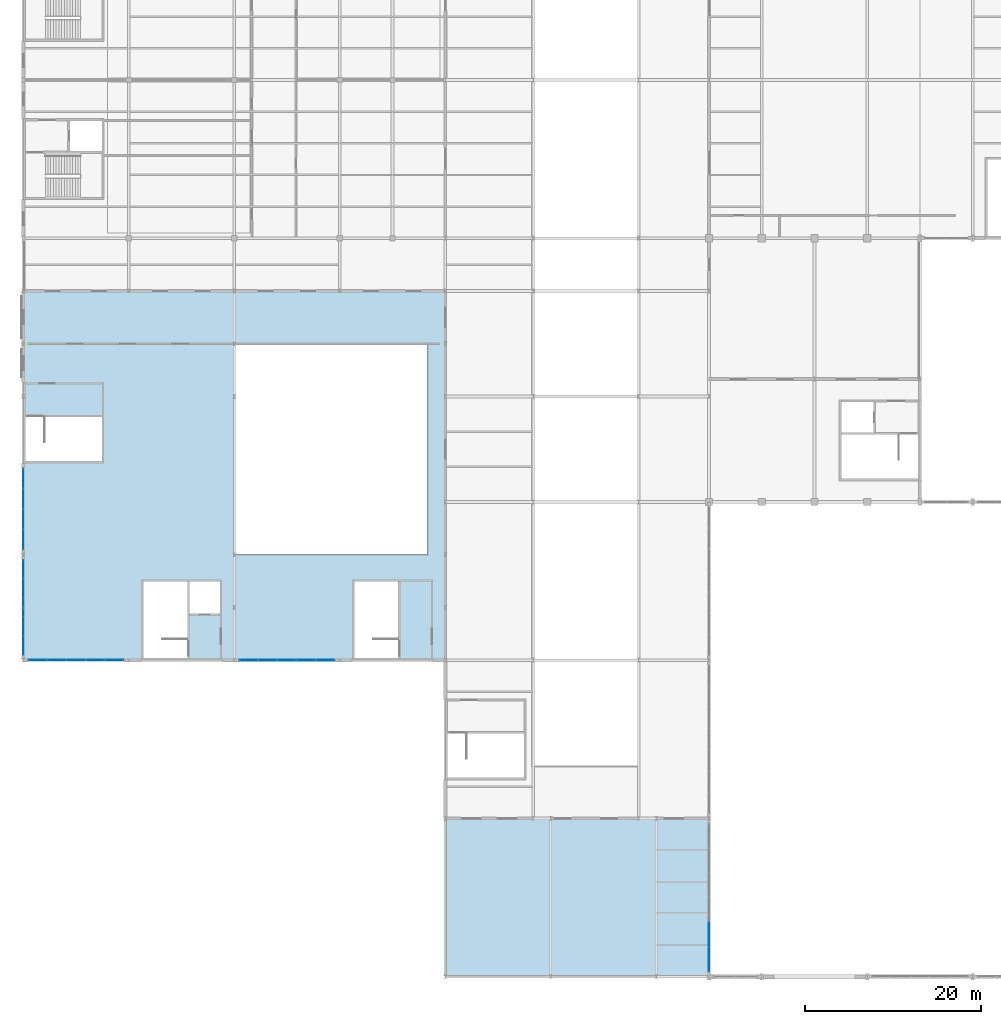
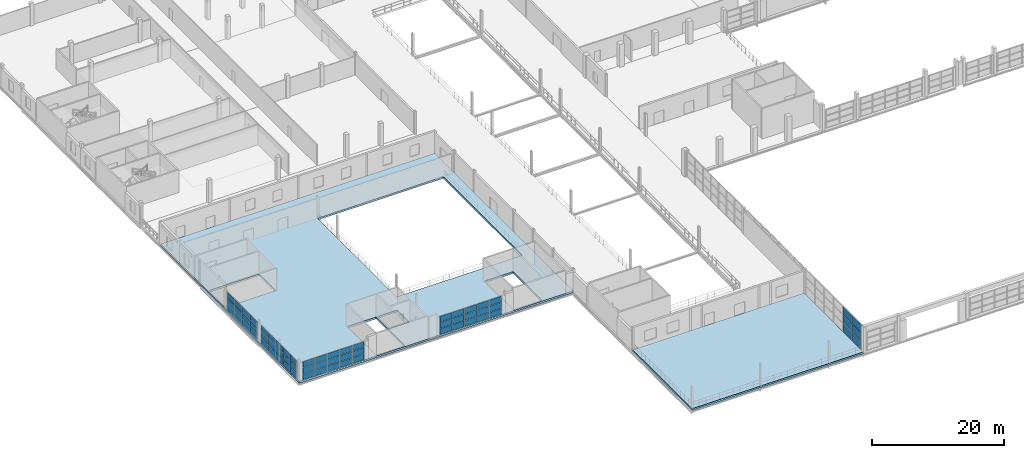
# One storey, part 119 of 147: 63 plates, 2 slabs, 5 elements without a shape of their own.
"""IFC4 building model written with IfcOpenShell, lengths in metres."""

from ifc_helpers import new_model, si_unit, direction, frame, origin, origin_2d, place, context, subcontext, project, spatial, polyline, rectangle, outline, extrude, material, layer, layer_set, type_object, element, aggregate, save


model = new_model("IFC4")

# Units and contexts
model_context = context("Model", 3, precision=1e-05, world=origin(), true_north=direction((0.0, 1.0)))
body_context = subcontext(model_context, "Body", "Model", "MODEL_VIEW")
ifc_project = project(units=[si_unit("LENGTHUNIT", "METRE"), si_unit("AREAUNIT", "SQUARE_METRE"), si_unit("VOLUMEUNIT", "CUBIC_METRE"), si_unit("PLANEANGLEUNIT", "RADIAN"), si_unit("MASSUNIT", "GRAM", prefix="KILO")], contexts=[model_context])

# Site, building, storey
site_placement = place(None, origin())
site = spatial("IfcSite", under=ifc_project, at=site_placement, CompositionType="ELEMENT")
building_placement = place(site_placement, origin())
building = spatial("IfcBuilding", under=site, at=building_placement, Name="Zilviju Railside Exhibition Hall", CompositionType="ELEMENT")
storey_placement = place(building_placement, frame((0.0, 0.0, 8.39990234375)))
storey = spatial("IfcBuildingStorey", under=building, at=storey_placement, Name="L03", CompositionType="ELEMENT", Elevation=8.39990234375)

# Curtain wall, plates
ifc_material_1 = material(Name="Thermally broken aluminium-steel triple-glazed curtain wall", Category="steel")
ifc_layer_1 = layer(ifc_material_1, 0.179931640625)
ifc_layer_set_1 = layer_set([ifc_layer_1], Name="Thermally broken aluminium-steel triple-glazed curtain wall")
curtain_wall_type_1 = type_object("IfcCurtainWallType", Name="CW-BAY-02", PredefinedType="USERDEFINED", material=ifc_layer_set_1)
curtain_wall_1_placement = place(storey_placement, origin())
curtain_wall_1 = element("IfcCurtainWall", 1, at=curtain_wall_1_placement, inside=storey, type_object=curtain_wall_type_1, Name="Congress Crush Foyer Boulevard Curtain Wall L03 (36..48)", ObjectType="GLAZED CURTAIN WALL", PredefinedType="USERDEFINED")
ifc_material_2 = material(Name="Triple-glazed low-E argon insulating glass unit", Category="glass")
ifc_layer_2 = layer(ifc_material_2, 0.0439453125)
ifc_layer_set_2 = layer_set([ifc_layer_2], Name="Triple-glazed low-E argon insulating glass unit")
plate_type_1 = type_object("IfcPlateType", Name="CWP-IGU-44", PredefinedType="CURTAIN_PANEL", material=ifc_layer_set_2)
plate_1_placement = place(storey_placement, frame((0.0, 37.65380859375, 0.05517578125), z_axis=(0.0, 0.0, 1.0), x_axis=(0.0, 1.0, 0.0)))
plate_1 = element("IfcPlate", 2, at=plate_1_placement, type_object=plate_type_1, Name="CW-02 panel 1.1", PredefinedType="CURTAIN_PANEL", context=body_context, shape_type="SweptSolid", body=[
    extrude(rectangle(XDim=2.097412109375, YDim=0.0439453125, at=origin_2d()), origin(), (0.0, 0.0, 1.0), 1.08447265625),
])
plate_2_placement = place(storey_placement, frame((0.0, 37.65380859375, 1.1943359375), z_axis=(0.0, 0.0, 1.0), x_axis=(0.0, 1.0, 0.0)))
plate_2 = element("IfcPlate", 3, at=plate_2_placement, type_object=plate_type_1, Name="CW-02 panel 1.2", PredefinedType="CURTAIN_PANEL", context=body_context, shape_type="SweptSolid", body=[
    extrude(rectangle(XDim=2.097412109375, YDim=0.0439453125, at=origin_2d()), origin(), (0.0, 0.0, 1.0), 1.111083984375),
])
plate_3_placement = place(storey_placement, frame((0.0, 37.65380859375, 2.360595703125), z_axis=(0.0, 0.0, 1.0), x_axis=(0.0, 1.0, 0.0)))
plate_3 = element("IfcPlate", 4, at=plate_3_placement, type_object=plate_type_1, Name="CW-02 panel 1.3", PredefinedType="CURTAIN_PANEL", context=body_context, shape_type="SweptSolid", body=[
    extrude(rectangle(XDim=2.097412109375, YDim=0.0439453125, at=origin_2d()), origin(), (0.0, 0.0, 1.0), 1.08447265625),
])
plate_4_placement = place(storey_placement, frame((0.0, 39.820068359375, 0.05517578125), z_axis=(0.0, 0.0, 1.0), x_axis=(0.0, 1.0, 0.0)))
plate_4 = element("IfcPlate", 5, at=plate_4_placement, type_object=plate_type_1, Name="CW-02 panel 2.1", PredefinedType="CURTAIN_PANEL", context=body_context, shape_type="SweptSolid", body=[
    extrude(rectangle(XDim=2.125, YDim=0.0439453125, at=origin_2d()), origin(), (0.0, 0.0, 1.0), 1.08447265625),
])
plate_5_placement = place(storey_placement, frame((0.0, 39.820068359375, 1.1943359375), z_axis=(0.0, 0.0, 1.0), x_axis=(0.0, 1.0, 0.0)))
plate_5 = element("IfcPlate", 6, at=plate_5_placement, type_object=plate_type_1, Name="CW-02 panel 2.2", PredefinedType="CURTAIN_PANEL", context=body_context, shape_type="SweptSolid", body=[
    extrude(rectangle(XDim=2.125, YDim=0.0439453125, at=origin_2d()), origin(), (0.0, 0.0, 1.0), 1.111083984375),
])
plate_6_placement = place(storey_placement, frame((0.0, 39.820068359375, 2.360595703125), z_axis=(0.0, 0.0, 1.0), x_axis=(0.0, 1.0, 0.0)))
plate_6 = element("IfcPlate", 7, at=plate_6_placement, type_object=plate_type_1, Name="CW-02 panel 2.3", PredefinedType="CURTAIN_PANEL", context=body_context, shape_type="SweptSolid", body=[
    extrude(rectangle(XDim=2.125, YDim=0.0439453125, at=origin_2d()), origin(), (0.0, 0.0, 1.0), 1.08447265625),
])
plate_7_placement = place(storey_placement, frame((0.0, 42.0, 0.05517578125), z_axis=(0.0, 0.0, 1.0), x_axis=(0.0, 1.0, 0.0)))
plate_7 = element("IfcPlate", 8, at=plate_7_placement, type_object=plate_type_1, Name="CW-02 panel 3.1", PredefinedType="CURTAIN_PANEL", context=body_context, shape_type="SweptSolid", body=[
    extrude(rectangle(XDim=2.125, YDim=0.0439453125, at=origin_2d()), origin(), (0.0, 0.0, 1.0), 1.08447265625),
])
plate_8_placement = place(storey_placement, frame((0.0, 42.0, 1.1943359375), z_axis=(0.0, 0.0, 1.0), x_axis=(0.0, 1.0, 0.0)))
plate_8 = element("IfcPlate", 9, at=plate_8_placement, type_object=plate_type_1, Name="CW-02 panel 3.2", PredefinedType="CURTAIN_PANEL", context=body_context, shape_type="SweptSolid", body=[
    extrude(rectangle(XDim=2.125, YDim=0.0439453125, at=origin_2d()), origin(), (0.0, 0.0, 1.0), 1.111083984375),
])
plate_9_placement = place(storey_placement, frame((0.0, 42.0, 2.360595703125), z_axis=(0.0, 0.0, 1.0), x_axis=(0.0, 1.0, 0.0)))
plate_9 = element("IfcPlate", 10, at=plate_9_placement, type_object=plate_type_1, Name="CW-02 panel 3.3", PredefinedType="CURTAIN_PANEL", context=body_context, shape_type="SweptSolid", body=[
    extrude(rectangle(XDim=2.125, YDim=0.0439453125, at=origin_2d()), origin(), (0.0, 0.0, 1.0), 1.08447265625),
])
plate_10_placement = place(storey_placement, frame((0.0, 44.179931640625, 0.05517578125), z_axis=(0.0, 0.0, 1.0), x_axis=(0.0, 1.0, 0.0)))
plate_10 = element("IfcPlate", 11, at=plate_10_placement, type_object=plate_type_1, Name="CW-02 panel 4.1", PredefinedType="CURTAIN_PANEL", context=body_context, shape_type="SweptSolid", body=[
    extrude(rectangle(XDim=2.125, YDim=0.0439453125, at=origin_2d()), origin(), (0.0, 0.0, 1.0), 1.08447265625),
])
plate_11_placement = place(storey_placement, frame((0.0, 44.179931640625, 1.1943359375), z_axis=(0.0, 0.0, 1.0), x_axis=(0.0, 1.0, 0.0)))
plate_11 = element("IfcPlate", 12, at=plate_11_placement, type_object=plate_type_1, Name="CW-02 panel 4.2", PredefinedType="CURTAIN_PANEL", context=body_context, shape_type="SweptSolid", body=[
    extrude(rectangle(XDim=2.125, YDim=0.0439453125, at=origin_2d()), origin(), (0.0, 0.0, 1.0), 1.111083984375),
])
plate_12_placement = place(storey_placement, frame((0.0, 44.179931640625, 2.360595703125), z_axis=(0.0, 0.0, 1.0), x_axis=(0.0, 1.0, 0.0)))
plate_12 = element("IfcPlate", 13, at=plate_12_placement, type_object=plate_type_1, Name="CW-02 panel 4.3", PredefinedType="CURTAIN_PANEL", context=body_context, shape_type="SweptSolid", body=[
    extrude(rectangle(XDim=2.125, YDim=0.0439453125, at=origin_2d()), origin(), (0.0, 0.0, 1.0), 1.08447265625),
])
plate_13_placement = place(storey_placement, frame((0.0, 46.34619140625, 0.05517578125), z_axis=(0.0, 0.0, 1.0), x_axis=(0.0, 1.0, 0.0)))
plate_13 = element("IfcPlate", 14, at=plate_13_placement, type_object=plate_type_1, Name="CW-02 panel 5.1", PredefinedType="CURTAIN_PANEL", context=body_context, shape_type="SweptSolid", body=[
    extrude(rectangle(XDim=2.097412109375, YDim=0.0439453125, at=origin_2d()), origin(), (0.0, 0.0, 1.0), 1.08447265625),
])
plate_14_placement = place(storey_placement, frame((0.0, 46.34619140625, 1.1943359375), z_axis=(0.0, 0.0, 1.0), x_axis=(0.0, 1.0, 0.0)))
plate_14 = element("IfcPlate", 15, at=plate_14_placement, type_object=plate_type_1, Name="CW-02 panel 5.2", PredefinedType="CURTAIN_PANEL", context=body_context, shape_type="SweptSolid", body=[
    extrude(rectangle(XDim=2.097412109375, YDim=0.0439453125, at=origin_2d()), origin(), (0.0, 0.0, 1.0), 1.111083984375),
])
plate_15_placement = place(storey_placement, frame((0.0, 46.34619140625, 2.360595703125), z_axis=(0.0, 0.0, 1.0), x_axis=(0.0, 1.0, 0.0)))
plate_15 = element("IfcPlate", 16, at=plate_15_placement, type_object=plate_type_1, Name="CW-02 panel 5.3", PredefinedType="CURTAIN_PANEL", context=body_context, shape_type="SweptSolid", body=[
    extrude(rectangle(XDim=2.097412109375, YDim=0.0439453125, at=origin_2d()), origin(), (0.0, 0.0, 1.0), 1.08447265625),
])
aggregate(curtain_wall_1, [plate_1, plate_2, plate_3, plate_4, plate_5, plate_6, plate_7, plate_8, plate_9, plate_10, plate_11, plate_12, plate_13, plate_14, plate_15])

ifc_layer_3 = layer(ifc_material_1, 0.179931640625)
ifc_layer_set_3 = layer_set([ifc_layer_3], Name="Thermally broken aluminium-steel triple-glazed curtain wall")
curtain_wall_type_2 = type_object("IfcCurtainWallType", Name="CW-BAY-03", PredefinedType="USERDEFINED", material=ifc_layer_set_3)
curtain_wall_2_placement = place(storey_placement, origin())
curtain_wall_2 = element("IfcCurtainWall", 17, at=curtain_wall_2_placement, inside=storey, type_object=curtain_wall_type_2, Name="Congress Crush Foyer Boulevard Curtain Wall L03 (48..58)", ObjectType="GLAZED CURTAIN WALL", PredefinedType="USERDEFINED")
plate_16_placement = place(storey_placement, frame((0.0, 49.72998046875, 0.070068359375), z_axis=(0.0, 0.0, 1.0), x_axis=(0.0, 1.0, 0.0)))
plate_16 = element("IfcPlate", 18, at=plate_16_placement, type_object=plate_type_1, Name="CW-03 panel 1.1", PredefinedType="CURTAIN_PANEL", context=body_context, shape_type="SweptSolid", body=[
    extrude(rectangle(XDim=2.219970703125, YDim=0.0439453125, at=origin_2d()), origin(), (0.0, 0.0, 1.0), 1.06201171875),
])
plate_17_placement = place(storey_placement, frame((0.0, 49.72998046875, 1.2021484375), z_axis=(0.0, 0.0, 1.0), x_axis=(0.0, 1.0, 0.0)))
plate_17 = element("IfcPlate", 19, at=plate_17_placement, type_object=plate_type_1, Name="CW-03 panel 1.2", PredefinedType="CURTAIN_PANEL", context=body_context, shape_type="SweptSolid", body=[
    extrude(rectangle(XDim=2.219970703125, YDim=0.0439453125, at=origin_2d()), origin(), (0.0, 0.0, 1.0), 1.095947265625),
])
plate_18_placement = place(storey_placement, frame((0.0, 49.72998046875, 2.3681640625), z_axis=(0.0, 0.0, 1.0), x_axis=(0.0, 1.0, 0.0)))
plate_18 = element("IfcPlate", 20, at=plate_18_placement, type_object=plate_type_1, Name="CW-03 panel 1.3", PredefinedType="CURTAIN_PANEL", context=body_context, shape_type="SweptSolid", body=[
    extrude(rectangle(XDim=2.219970703125, YDim=0.0439453125, at=origin_2d()), origin(), (0.0, 0.0, 1.0), 1.06201171875),
])
plate_19_placement = place(storey_placement, frame((0.0, 52.03759765625, 0.070068359375), z_axis=(0.0, 0.0, 1.0), x_axis=(0.0, 1.0, 0.0)))
plate_19 = element("IfcPlate", 21, at=plate_19_placement, type_object=plate_type_1, Name="CW-03 panel 2.1", PredefinedType="CURTAIN_PANEL", context=body_context, shape_type="SweptSolid", body=[
    extrude(rectangle(XDim=2.2548828125, YDim=0.0439453125, at=origin_2d()), origin(), (0.0, 0.0, 1.0), 1.06201171875),
])
plate_20_placement = place(storey_placement, frame((0.0, 52.03759765625, 1.2021484375), z_axis=(0.0, 0.0, 1.0), x_axis=(0.0, 1.0, 0.0)))
plate_20 = element("IfcPlate", 22, at=plate_20_placement, type_object=plate_type_1, Name="CW-03 panel 2.2", PredefinedType="CURTAIN_PANEL", context=body_context, shape_type="SweptSolid", body=[
    extrude(rectangle(XDim=2.2548828125, YDim=0.0439453125, at=origin_2d()), origin(), (0.0, 0.0, 1.0), 1.095947265625),
])
plate_21_placement = place(storey_placement, frame((0.0, 52.03759765625, 2.3681640625), z_axis=(0.0, 0.0, 1.0), x_axis=(0.0, 1.0, 0.0)))
plate_21 = element("IfcPlate", 23, at=plate_21_placement, type_object=plate_type_1, Name="CW-03 panel 2.3", PredefinedType="CURTAIN_PANEL", context=body_context, shape_type="SweptSolid", body=[
    extrude(rectangle(XDim=2.2548828125, YDim=0.0439453125, at=origin_2d()), origin(), (0.0, 0.0, 1.0), 1.06201171875),
])
plate_22_placement = place(storey_placement, frame((0.0, 54.362548828125, 0.070068359375), z_axis=(0.0, 0.0, 1.0), x_axis=(0.0, 1.0, 0.0)))
plate_22 = element("IfcPlate", 24, at=plate_22_placement, type_object=plate_type_1, Name="CW-03 panel 3.1", PredefinedType="CURTAIN_PANEL", context=body_context, shape_type="SweptSolid", body=[
    extrude(rectangle(XDim=2.2548828125, YDim=0.0439453125, at=origin_2d()), origin(), (0.0, 0.0, 1.0), 1.06201171875),
])
plate_23_placement = place(storey_placement, frame((0.0, 54.362548828125, 1.2021484375), z_axis=(0.0, 0.0, 1.0), x_axis=(0.0, 1.0, 0.0)))
plate_23 = element("IfcPlate", 25, at=plate_23_placement, type_object=plate_type_1, Name="CW-03 panel 3.2", PredefinedType="CURTAIN_PANEL", context=body_context, shape_type="SweptSolid", body=[
    extrude(rectangle(XDim=2.2548828125, YDim=0.0439453125, at=origin_2d()), origin(), (0.0, 0.0, 1.0), 1.095947265625),
])
plate_24_placement = place(storey_placement, frame((0.0, 54.362548828125, 2.3681640625), z_axis=(0.0, 0.0, 1.0), x_axis=(0.0, 1.0, 0.0)))
plate_24 = element("IfcPlate", 26, at=plate_24_placement, type_object=plate_type_1, Name="CW-03 panel 3.3", PredefinedType="CURTAIN_PANEL", context=body_context, shape_type="SweptSolid", body=[
    extrude(rectangle(XDim=2.2548828125, YDim=0.0439453125, at=origin_2d()), origin(), (0.0, 0.0, 1.0), 1.06201171875),
])
plate_25_placement = place(storey_placement, frame((0.0, 56.669921875, 0.070068359375), z_axis=(0.0, 0.0, 1.0), x_axis=(0.0, 1.0, 0.0)))
plate_25 = element("IfcPlate", 27, at=plate_25_placement, type_object=plate_type_1, Name="CW-03 panel 4.1", PredefinedType="CURTAIN_PANEL", context=body_context, shape_type="SweptSolid", body=[
    extrude(rectangle(XDim=2.219970703125, YDim=0.0439453125, at=origin_2d()), origin(), (0.0, 0.0, 1.0), 1.06201171875),
])
plate_26_placement = place(storey_placement, frame((0.0, 56.669921875, 1.2021484375), z_axis=(0.0, 0.0, 1.0), x_axis=(0.0, 1.0, 0.0)))
plate_26 = element("IfcPlate", 28, at=plate_26_placement, type_object=plate_type_1, Name="CW-03 panel 4.2", PredefinedType="CURTAIN_PANEL", context=body_context, shape_type="SweptSolid", body=[
    extrude(rectangle(XDim=2.219970703125, YDim=0.0439453125, at=origin_2d()), origin(), (0.0, 0.0, 1.0), 1.095947265625),
])
plate_27_placement = place(storey_placement, frame((0.0, 56.669921875, 2.3681640625), z_axis=(0.0, 0.0, 1.0), x_axis=(0.0, 1.0, 0.0)))
plate_27 = element("IfcPlate", 29, at=plate_27_placement, type_object=plate_type_1, Name="CW-03 panel 4.3", PredefinedType="CURTAIN_PANEL", context=body_context, shape_type="SweptSolid", body=[
    extrude(rectangle(XDim=2.219970703125, YDim=0.0439453125, at=origin_2d()), origin(), (0.0, 0.0, 1.0), 1.06201171875),
])
aggregate(curtain_wall_2, [plate_16, plate_17, plate_18, plate_19, plate_20, plate_21, plate_22, plate_23, plate_24, plate_25, plate_26, plate_27])

ifc_layer_4 = layer(ifc_material_1, 0.179931640625)
ifc_layer_set_4 = layer_set([ifc_layer_4], Name="Thermally broken aluminium-steel triple-glazed curtain wall")
curtain_wall_type_3 = type_object("IfcCurtainWallType", Name="CW-BAY-20", PredefinedType="USERDEFINED", material=ifc_layer_set_4)
curtain_wall_3_placement = place(storey_placement, origin())
curtain_wall_3 = element("IfcCurtainWall", 30, at=curtain_wall_3_placement, inside=storey, type_object=curtain_wall_type_3, Name="Congress Forecourt Curtain Wall L03 (0..12)", ObjectType="GLAZED CURTAIN WALL", PredefinedType="USERDEFINED")
ifc_material_3 = material(Name="Insulated cobalt-blue enamelled spandrel glass panel", Category="glass")
ifc_layer_5 = layer(ifc_material_3, 0.052001953125)
ifc_layer_set_5 = layer_set([ifc_layer_5], Name="Insulated cobalt-blue enamelled spandrel glass panel")
plate_type_2 = type_object("IfcPlateType", Name="CWP-SPD-52", PredefinedType="CURTAIN_PANEL", material=ifc_layer_set_5)
plate_28_placement = place(storey_placement, frame((10.340087890625, 36.0, 0.080078125), z_axis=(0.0, 0.0, 1.0), x_axis=(-1.0, 0.0, 0.0)))
plate_28 = element("IfcPlate", 31, at=plate_28_placement, type_object=plate_type_2, Name="CW-20 panel 1.1", PredefinedType="CURTAIN_PANEL", context=body_context, shape_type="SweptSolid", body=[
    extrude(rectangle(XDim=2.06005859375, YDim=0.052001953125, at=origin_2d()), origin(), (0.0, 0.0, 1.0), 1.052978515625),
])
plate_29_placement = place(storey_placement, frame((10.340087890625, 36.0, 1.212890625), z_axis=(0.0, 0.0, 1.0), x_axis=(-1.0, 0.0, 0.0)))
plate_29 = element("IfcPlate", 32, at=plate_29_placement, type_object=plate_type_2, Name="CW-20 panel 1.2", PredefinedType="CURTAIN_PANEL", context=body_context, shape_type="SweptSolid", body=[
    extrude(rectangle(XDim=2.06005859375, YDim=0.052001953125, at=origin_2d()), origin(), (0.0, 0.0, 1.0), 1.093994140625),
])
plate_30_placement = place(storey_placement, frame((10.340087890625, 36.0, 2.38720703125), z_axis=(0.0, 0.0, 1.0), x_axis=(-1.0, 0.0, 0.0)))
plate_30 = element("IfcPlate", 33, at=plate_30_placement, type_object=plate_type_2, Name="CW-20 panel 1.3", PredefinedType="CURTAIN_PANEL", context=body_context, shape_type="SweptSolid", body=[
    extrude(rectangle(XDim=2.06005859375, YDim=0.052001953125, at=origin_2d()), origin(), (0.0, 0.0, 1.0), 1.052978515625),
])
plate_31_placement = place(storey_placement, frame((8.179931640625, 36.0, 0.080078125), z_axis=(0.0, 0.0, 1.0), x_axis=(-1.0, 0.0, 0.0)))
plate_31 = element("IfcPlate", 34, at=plate_31_placement, type_object=plate_type_2, Name="CW-20 panel 2.1", PredefinedType="CURTAIN_PANEL", context=body_context, shape_type="SweptSolid", body=[
    extrude(rectangle(XDim=2.10009765625, YDim=0.052001953125, at=origin_2d()), origin(), (0.0, 0.0, 1.0), 1.052978515625),
])
plate_32_placement = place(storey_placement, frame((8.179931640625, 36.0, 1.212890625), z_axis=(0.0, 0.0, 1.0), x_axis=(-1.0, 0.0, 0.0)))
plate_32 = element("IfcPlate", 35, at=plate_32_placement, type_object=plate_type_2, Name="CW-20 panel 2.2", PredefinedType="CURTAIN_PANEL", context=body_context, shape_type="SweptSolid", body=[
    extrude(rectangle(XDim=2.10009765625, YDim=0.052001953125, at=origin_2d()), origin(), (0.0, 0.0, 1.0), 1.093994140625),
])
plate_33_placement = place(storey_placement, frame((8.179931640625, 36.0, 2.38720703125), z_axis=(0.0, 0.0, 1.0), x_axis=(-1.0, 0.0, 0.0)))
plate_33 = element("IfcPlate", 36, at=plate_33_placement, type_object=plate_type_2, Name="CW-20 panel 2.3", PredefinedType="CURTAIN_PANEL", context=body_context, shape_type="SweptSolid", body=[
    extrude(rectangle(XDim=2.10009765625, YDim=0.052001953125, at=origin_2d()), origin(), (0.0, 0.0, 1.0), 1.052978515625),
])
plate_34_placement = place(storey_placement, frame((6.0, 36.0, 0.080078125), z_axis=(0.0, 0.0, 1.0), x_axis=(-1.0, 0.0, 0.0)))
plate_34 = element("IfcPlate", 37, at=plate_34_placement, type_object=plate_type_2, Name="CW-20 panel 3.1", PredefinedType="CURTAIN_PANEL", context=body_context, shape_type="SweptSolid", body=[
    extrude(rectangle(XDim=2.10009765625, YDim=0.052001953125, at=origin_2d()), origin(), (0.0, 0.0, 1.0), 1.052978515625),
])
plate_35_placement = place(storey_placement, frame((6.0, 36.0, 1.212890625), z_axis=(0.0, 0.0, 1.0), x_axis=(-1.0, 0.0, 0.0)))
plate_35 = element("IfcPlate", 38, at=plate_35_placement, type_object=plate_type_2, Name="CW-20 panel 3.2", PredefinedType="CURTAIN_PANEL", context=body_context, shape_type="SweptSolid", body=[
    extrude(rectangle(XDim=2.10009765625, YDim=0.052001953125, at=origin_2d()), origin(), (0.0, 0.0, 1.0), 1.093994140625),
])
plate_36_placement = place(storey_placement, frame((6.0, 36.0, 2.38720703125), z_axis=(0.0, 0.0, 1.0), x_axis=(-1.0, 0.0, 0.0)))
plate_36 = element("IfcPlate", 39, at=plate_36_placement, type_object=plate_type_2, Name="CW-20 panel 3.3", PredefinedType="CURTAIN_PANEL", context=body_context, shape_type="SweptSolid", body=[
    extrude(rectangle(XDim=2.10009765625, YDim=0.052001953125, at=origin_2d()), origin(), (0.0, 0.0, 1.0), 1.052978515625),
])
plate_37_placement = place(storey_placement, frame((3.820068359375, 36.0, 0.080078125), z_axis=(0.0, 0.0, 1.0), x_axis=(-1.0, 0.0, 0.0)))
plate_37 = element("IfcPlate", 40, at=plate_37_placement, type_object=plate_type_2, Name="CW-20 panel 4.1", PredefinedType="CURTAIN_PANEL", context=body_context, shape_type="SweptSolid", body=[
    extrude(rectangle(XDim=2.10009765625, YDim=0.052001953125, at=origin_2d()), origin(), (0.0, 0.0, 1.0), 1.052978515625),
])
plate_38_placement = place(storey_placement, frame((3.820068359375, 36.0, 1.212890625), z_axis=(0.0, 0.0, 1.0), x_axis=(-1.0, 0.0, 0.0)))
plate_38 = element("IfcPlate", 41, at=plate_38_placement, type_object=plate_type_2, Name="CW-20 panel 4.2", PredefinedType="CURTAIN_PANEL", context=body_context, shape_type="SweptSolid", body=[
    extrude(rectangle(XDim=2.10009765625, YDim=0.052001953125, at=origin_2d()), origin(), (0.0, 0.0, 1.0), 1.093994140625),
])
plate_39_placement = place(storey_placement, frame((3.820068359375, 36.0, 2.38720703125), z_axis=(0.0, 0.0, 1.0), x_axis=(-1.0, 0.0, 0.0)))
plate_39 = element("IfcPlate", 42, at=plate_39_placement, type_object=plate_type_2, Name="CW-20 panel 4.3", PredefinedType="CURTAIN_PANEL", context=body_context, shape_type="SweptSolid", body=[
    extrude(rectangle(XDim=2.10009765625, YDim=0.052001953125, at=origin_2d()), origin(), (0.0, 0.0, 1.0), 1.052978515625),
])
plate_40_placement = place(storey_placement, frame((1.659912109375, 36.0, 0.080078125), z_axis=(0.0, 0.0, 1.0), x_axis=(-1.0, 0.0, 0.0)))
plate_40 = element("IfcPlate", 43, at=plate_40_placement, type_object=plate_type_2, Name="CW-20 panel 5.1", PredefinedType="CURTAIN_PANEL", context=body_context, shape_type="SweptSolid", body=[
    extrude(rectangle(XDim=2.06005859375, YDim=0.052001953125, at=origin_2d()), origin(), (0.0, 0.0, 1.0), 1.052978515625),
])
plate_41_placement = place(storey_placement, frame((1.659912109375, 36.0, 1.212890625), z_axis=(0.0, 0.0, 1.0), x_axis=(-1.0, 0.0, 0.0)))
plate_41 = element("IfcPlate", 44, at=plate_41_placement, type_object=plate_type_2, Name="CW-20 panel 5.2", PredefinedType="CURTAIN_PANEL", context=body_context, shape_type="SweptSolid", body=[
    extrude(rectangle(XDim=2.06005859375, YDim=0.052001953125, at=origin_2d()), origin(), (0.0, 0.0, 1.0), 1.093994140625),
])
plate_42_placement = place(storey_placement, frame((1.659912109375, 36.0, 2.38720703125), z_axis=(0.0, 0.0, 1.0), x_axis=(-1.0, 0.0, 0.0)))
plate_42 = element("IfcPlate", 45, at=plate_42_placement, type_object=plate_type_2, Name="CW-20 panel 5.3", PredefinedType="CURTAIN_PANEL", context=body_context, shape_type="SweptSolid", body=[
    extrude(rectangle(XDim=2.06005859375, YDim=0.052001953125, at=origin_2d()), origin(), (0.0, 0.0, 1.0), 1.052978515625),
])
aggregate(curtain_wall_3, [plate_28, plate_29, plate_30, plate_31, plate_32, plate_33, plate_34, plate_35, plate_36, plate_37, plate_38, plate_39, plate_40, plate_41, plate_42])

ifc_layer_6 = layer(ifc_material_1, 0.179931640625)
ifc_layer_set_6 = layer_set([ifc_layer_6], Name="Thermally broken aluminium-steel triple-glazed curtain wall")
curtain_wall_type_4 = type_object("IfcCurtainWallType", Name="CW-BAY-19", PredefinedType="USERDEFINED", material=ifc_layer_set_6)
curtain_wall_4_placement = place(storey_placement, origin())
curtain_wall_4 = element("IfcCurtainWall", 46, at=curtain_wall_4_placement, inside=storey, type_object=curtain_wall_type_4, Name="South Hall West Upper Glazed Gable (0..18)", ObjectType="GLAZED CURTAIN WALL", PredefinedType="USERDEFINED")
ifc_material_4 = material(Name="Insulated emerald ceramic-frit spandrel panel", Category="glass")
ifc_layer_7 = layer(ifc_material_4, 0.06396484375)
ifc_layer_set_7 = layer_set([ifc_layer_7], Name="Insulated emerald ceramic-frit spandrel panel")
plate_type_3 = type_object("IfcPlateType", Name="CWP-SPD-64", PredefinedType="CURTAIN_PANEL", material=ifc_layer_set_7)
plate_43_placement = place(storey_placement, frame((78.0, 1.97705078125, 0.0751953125), z_axis=(0.0, 0.0, 1.0), x_axis=(0.0, 1.0, 0.0)))
plate_43 = element("IfcPlate", 47, at=plate_43_placement, type_object=plate_type_3, Name="CW-19 panel 1.1", PredefinedType="CURTAIN_PANEL", context=body_context, shape_type="SweptSolid", body=[
    extrude(rectangle(XDim=2.7041015625, YDim=0.06396484375, at=origin_2d()), origin(), (0.0, 0.0, 1.0), 1.487548828125),
])
plate_44_placement = place(storey_placement, frame((78.0, 1.97705078125, 1.6376953125), z_axis=(0.0, 0.0, 1.0), x_axis=(0.0, 1.0, 0.0)))
plate_44 = element("IfcPlate", 48, at=plate_44_placement, type_object=plate_type_3, Name="CW-19 panel 1.2", PredefinedType="CURTAIN_PANEL", context=body_context, shape_type="SweptSolid", body=[
    extrude(rectangle(XDim=2.7041015625, YDim=0.06396484375, at=origin_2d()), origin(), (0.0, 0.0, 1.0), 1.52490234375),
])
plate_45_placement = place(storey_placement, frame((78.0, 1.97705078125, 3.23779296875), z_axis=(0.0, 0.0, 1.0), x_axis=(0.0, 1.0, 0.0)))
plate_45 = element("IfcPlate", 49, at=plate_45_placement, type_object=plate_type_3, Name="CW-19 panel 1.3", PredefinedType="CURTAIN_PANEL", context=body_context, shape_type="SweptSolid", body=[
    extrude(rectangle(XDim=2.7041015625, YDim=0.06396484375, at=origin_2d()), origin(), (0.0, 0.0, 1.0), 1.487548828125),
])
plate_46_placement = place(storey_placement, frame((78.0, 4.77490234375, 0.0751953125), z_axis=(0.0, 0.0, 1.0), x_axis=(0.0, 1.0, 0.0)))
plate_46 = element("IfcPlate", 50, at=plate_46_placement, type_object=plate_type_3, Name="CW-19 panel 2.1", PredefinedType="CURTAIN_PANEL", context=body_context, shape_type="SweptSolid", body=[
    extrude(rectangle(XDim=2.74169921875, YDim=0.06396484375, at=origin_2d()), origin(), (0.0, 0.0, 1.0), 1.487548828125),
])
plate_47_placement = place(storey_placement, frame((78.0, 4.77490234375, 1.6376953125), z_axis=(0.0, 0.0, 1.0), x_axis=(0.0, 1.0, 0.0)))
plate_47 = element("IfcPlate", 51, at=plate_47_placement, type_object=plate_type_3, Name="CW-19 panel 2.2", PredefinedType="CURTAIN_PANEL", context=body_context, shape_type="SweptSolid", body=[
    extrude(rectangle(XDim=2.74169921875, YDim=0.06396484375, at=origin_2d()), origin(), (0.0, 0.0, 1.0), 1.52490234375),
])
plate_48_placement = place(storey_placement, frame((78.0, 4.77490234375, 3.23779296875), z_axis=(0.0, 0.0, 1.0), x_axis=(0.0, 1.0, 0.0)))
plate_48 = element("IfcPlate", 52, at=plate_48_placement, type_object=plate_type_3, Name="CW-19 panel 2.3", PredefinedType="CURTAIN_PANEL", context=body_context, shape_type="SweptSolid", body=[
    extrude(rectangle(XDim=2.74169921875, YDim=0.06396484375, at=origin_2d()), origin(), (0.0, 0.0, 1.0), 1.487548828125),
])
aggregate(curtain_wall_4, [plate_43, plate_44, plate_45, plate_46, plate_47, plate_48])

ifc_layer_8 = layer(ifc_material_1, 0.179931640625)
ifc_layer_set_8 = layer_set([ifc_layer_8], Name="Thermally broken aluminium-steel triple-glazed curtain wall")
curtain_wall_type_5 = type_object("IfcCurtainWallType", Name="CW-BAY-01", PredefinedType="USERDEFINED", material=ifc_layer_set_8)
curtain_wall_5_placement = place(storey_placement, origin())
curtain_wall_5 = element("IfcCurtainWall", 53, at=curtain_wall_5_placement, inside=storey, type_object=curtain_wall_type_5, Name="Congress Forecourt Curtain Wall L03 (24..36)", ObjectType="GLAZED CURTAIN WALL", PredefinedType="USERDEFINED")
plate_49_placement = place(storey_placement, frame((34.34130859375, 36.0, 0.0751953125), z_axis=(0.0, 0.0, 1.0), x_axis=(-1.0, 0.0, 0.0)))
plate_49 = element("IfcPlate", 54, at=plate_49_placement, type_object=plate_type_3, Name="CW-01 panel 1.1", PredefinedType="CURTAIN_PANEL", context=body_context, shape_type="SweptSolid", body=[
    extrude(rectangle(XDim=2.0673828125, YDim=0.06396484375, at=origin_2d()), origin(), (0.0, 0.0, 1.0), 1.060546875),
])
plate_50_placement = place(storey_placement, frame((34.34130859375, 36.0, 1.21044921875), z_axis=(0.0, 0.0, 1.0), x_axis=(-1.0, 0.0, 0.0)))
plate_50 = element("IfcPlate", 55, at=plate_50_placement, type_object=plate_type_3, Name="CW-01 panel 1.2", PredefinedType="CURTAIN_PANEL", context=body_context, shape_type="SweptSolid", body=[
    extrude(rectangle(XDim=2.0673828125, YDim=0.06396484375, at=origin_2d()), origin(), (0.0, 0.0, 1.0), 1.09912109375),
])
plate_51_placement = place(storey_placement, frame((34.34130859375, 36.0, 2.384521484375), z_axis=(0.0, 0.0, 1.0), x_axis=(-1.0, 0.0, 0.0)))
plate_51 = element("IfcPlate", 56, at=plate_51_placement, type_object=plate_type_3, Name="CW-01 panel 1.3", PredefinedType="CURTAIN_PANEL", context=body_context, shape_type="SweptSolid", body=[
    extrude(rectangle(XDim=2.0673828125, YDim=0.06396484375, at=origin_2d()), origin(), (0.0, 0.0, 1.0), 1.060546875),
])
plate_52_placement = place(storey_placement, frame((32.179931640625, 36.0, 0.0751953125), z_axis=(0.0, 0.0, 1.0), x_axis=(-1.0, 0.0, 0.0)))
plate_52 = element("IfcPlate", 57, at=plate_52_placement, type_object=plate_type_3, Name="CW-01 panel 2.1", PredefinedType="CURTAIN_PANEL", context=body_context, shape_type="SweptSolid", body=[
    extrude(rectangle(XDim=2.10498046875, YDim=0.06396484375, at=origin_2d()), origin(), (0.0, 0.0, 1.0), 1.060546875),
])
plate_53_placement = place(storey_placement, frame((32.179931640625, 36.0, 1.21044921875), z_axis=(0.0, 0.0, 1.0), x_axis=(-1.0, 0.0, 0.0)))
plate_53 = element("IfcPlate", 58, at=plate_53_placement, type_object=plate_type_3, Name="CW-01 panel 2.2", PredefinedType="CURTAIN_PANEL", context=body_context, shape_type="SweptSolid", body=[
    extrude(rectangle(XDim=2.10498046875, YDim=0.06396484375, at=origin_2d()), origin(), (0.0, 0.0, 1.0), 1.09912109375),
])
plate_54_placement = place(storey_placement, frame((32.179931640625, 36.0, 2.384521484375), z_axis=(0.0, 0.0, 1.0), x_axis=(-1.0, 0.0, 0.0)))
plate_54 = element("IfcPlate", 59, at=plate_54_placement, type_object=plate_type_3, Name="CW-01 panel 2.3", PredefinedType="CURTAIN_PANEL", context=body_context, shape_type="SweptSolid", body=[
    extrude(rectangle(XDim=2.10498046875, YDim=0.06396484375, at=origin_2d()), origin(), (0.0, 0.0, 1.0), 1.060546875),
])
plate_55_placement = place(storey_placement, frame((30.0, 36.0, 0.0751953125), z_axis=(0.0, 0.0, 1.0), x_axis=(-1.0, 0.0, 0.0)))
plate_55 = element("IfcPlate", 60, at=plate_55_placement, type_object=plate_type_3, Name="CW-01 panel 3.1", PredefinedType="CURTAIN_PANEL", context=body_context, shape_type="SweptSolid", body=[
    extrude(rectangle(XDim=2.10498046875, YDim=0.06396484375, at=origin_2d()), origin(), (0.0, 0.0, 1.0), 1.060546875),
])
plate_56_placement = place(storey_placement, frame((30.0, 36.0, 1.21044921875), z_axis=(0.0, 0.0, 1.0), x_axis=(-1.0, 0.0, 0.0)))
plate_56 = element("IfcPlate", 61, at=plate_56_placement, type_object=plate_type_3, Name="CW-01 panel 3.2", PredefinedType="CURTAIN_PANEL", context=body_context, shape_type="SweptSolid", body=[
    extrude(rectangle(XDim=2.10498046875, YDim=0.06396484375, at=origin_2d()), origin(), (0.0, 0.0, 1.0), 1.09912109375),
])
plate_57_placement = place(storey_placement, frame((30.0, 36.0, 2.384521484375), z_axis=(0.0, 0.0, 1.0), x_axis=(-1.0, 0.0, 0.0)))
plate_57 = element("IfcPlate", 62, at=plate_57_placement, type_object=plate_type_3, Name="CW-01 panel 3.3", PredefinedType="CURTAIN_PANEL", context=body_context, shape_type="SweptSolid", body=[
    extrude(rectangle(XDim=2.10498046875, YDim=0.06396484375, at=origin_2d()), origin(), (0.0, 0.0, 1.0), 1.060546875),
])
plate_58_placement = place(storey_placement, frame((27.820068359375, 36.0, 0.0751953125), z_axis=(0.0, 0.0, 1.0), x_axis=(-1.0, 0.0, 0.0)))
plate_58 = element("IfcPlate", 63, at=plate_58_placement, type_object=plate_type_3, Name="CW-01 panel 4.1", PredefinedType="CURTAIN_PANEL", context=body_context, shape_type="SweptSolid", body=[
    extrude(rectangle(XDim=2.10498046875, YDim=0.06396484375, at=origin_2d()), origin(), (0.0, 0.0, 1.0), 1.060546875),
])
plate_59_placement = place(storey_placement, frame((27.820068359375, 36.0, 1.21044921875), z_axis=(0.0, 0.0, 1.0), x_axis=(-1.0, 0.0, 0.0)))
plate_59 = element("IfcPlate", 64, at=plate_59_placement, type_object=plate_type_3, Name="CW-01 panel 4.2", PredefinedType="CURTAIN_PANEL", context=body_context, shape_type="SweptSolid", body=[
    extrude(rectangle(XDim=2.10498046875, YDim=0.06396484375, at=origin_2d()), origin(), (0.0, 0.0, 1.0), 1.09912109375),
])
plate_60_placement = place(storey_placement, frame((27.820068359375, 36.0, 2.384521484375), z_axis=(0.0, 0.0, 1.0), x_axis=(-1.0, 0.0, 0.0)))
plate_60 = element("IfcPlate", 65, at=plate_60_placement, type_object=plate_type_3, Name="CW-01 panel 4.3", PredefinedType="CURTAIN_PANEL", context=body_context, shape_type="SweptSolid", body=[
    extrude(rectangle(XDim=2.10498046875, YDim=0.06396484375, at=origin_2d()), origin(), (0.0, 0.0, 1.0), 1.060546875),
])
plate_61_placement = place(storey_placement, frame((25.65869140625, 36.0, 0.0751953125), z_axis=(0.0, 0.0, 1.0), x_axis=(-1.0, 0.0, 0.0)))
plate_61 = element("IfcPlate", 66, at=plate_61_placement, type_object=plate_type_3, Name="CW-01 panel 5.1", PredefinedType="CURTAIN_PANEL", context=body_context, shape_type="SweptSolid", body=[
    extrude(rectangle(XDim=2.0673828125, YDim=0.06396484375, at=origin_2d()), origin(), (0.0, 0.0, 1.0), 1.060546875),
])
plate_62_placement = place(storey_placement, frame((25.65869140625, 36.0, 1.21044921875), z_axis=(0.0, 0.0, 1.0), x_axis=(-1.0, 0.0, 0.0)))
plate_62 = element("IfcPlate", 67, at=plate_62_placement, type_object=plate_type_3, Name="CW-01 panel 5.2", PredefinedType="CURTAIN_PANEL", context=body_context, shape_type="SweptSolid", body=[
    extrude(rectangle(XDim=2.0673828125, YDim=0.06396484375, at=origin_2d()), origin(), (0.0, 0.0, 1.0), 1.09912109375),
])
plate_63_placement = place(storey_placement, frame((25.65869140625, 36.0, 2.384521484375), z_axis=(0.0, 0.0, 1.0), x_axis=(-1.0, 0.0, 0.0)))
plate_63 = element("IfcPlate", 68, at=plate_63_placement, type_object=plate_type_3, Name="CW-01 panel 5.3", PredefinedType="CURTAIN_PANEL", context=body_context, shape_type="SweptSolid", body=[
    extrude(rectangle(XDim=2.0673828125, YDim=0.06396484375, at=origin_2d()), origin(), (0.0, 0.0, 1.0), 1.060546875),
])
aggregate(curtain_wall_5, [plate_49, plate_50, plate_51, plate_52, plate_53, plate_54, plate_55, plate_56, plate_57, plate_58, plate_59, plate_60, plate_61, plate_62, plate_63])

# Slabs
ifc_material_5 = material(Name="Concrete C35/45", Category="concrete")
ifc_layer_9 = layer(ifc_material_5, 0.35009765625)
ifc_layer_set_9 = layer_set([ifc_layer_9], Name="Concrete C35/45")
slab_type_1 = type_object("IfcSlabType", Name="SL-FLR-350", PredefinedType="FLOOR", material=ifc_layer_set_9)
slab_1_placement = place(storey_placement, frame((0.0, 0.0, -0.349853515625)))
element("IfcSlab", 69, at=slab_1_placement, inside=storey, type_object=slab_type_1, Name="Congress L03 Balcony & Technical Gallery", PredefinedType="FLOOR", context=body_context, shape_type="SweptSolid", body=[
    extrude(outline(polyline([(0.0, 36.0), (48.0, 36.0), (48.0, 78.0), (0.0, 78.0), (0.0, 36.0)]), holes=[polyline([(24.0, 48.0), (46.0, 48.0), (46.0, 72.0), (24.0, 72.0), (24.0, 48.0)]), polyline([(13.64990234375, 36.25), (18.64990234375, 36.25), (18.64990234375, 44.949951171875), (13.64990234375, 44.949951171875), (13.64990234375, 36.25)]), polyline([(18.89990234375, 41.300048828125), (22.35009765625, 41.300048828125), (22.35009765625, 44.949951171875), (18.89990234375, 44.949951171875), (18.89990234375, 41.300048828125)]), polyline([(37.64990234375, 36.25), (42.64990234375, 36.25), (42.64990234375, 44.949951171875), (37.64990234375, 44.949951171875), (37.64990234375, 36.25)]), polyline([(0.25, 58.64990234375), (8.949951171875, 58.64990234375), (8.949951171875, 63.64990234375), (0.25, 63.64990234375), (0.25, 58.64990234375)])]), origin(), (0.0, 0.0, 1.0), 0.349853515625),
])
ifc_layer_10 = layer(ifc_material_5, 0.320068359375)
ifc_layer_set_10 = layer_set([ifc_layer_10], Name="Concrete C35/45")
slab_type_2 = type_object("IfcSlabType", Name="SL-RG-320", PredefinedType="ROOF", material=ifc_layer_set_10)
slab_2_placement = place(storey_placement, frame((0.0, 0.0, -0.31982421875)))
element("IfcSlab", 70, at=slab_2_placement, inside=storey, type_object=slab_type_2, Name="South Concourse Planted Roof Garden", PredefinedType="ROOF", context=body_context, shape_type="SweptSolid", body=[
    extrude(outline(polyline([(48.0, 0.0), (78.0, 0.0), (78.0, 18.0), (48.0, 18.0), (48.0, 0.0)])), origin(), (0.0, 0.0, 1.0), 0.31982421875),
])

save(model, "model.ifc")
